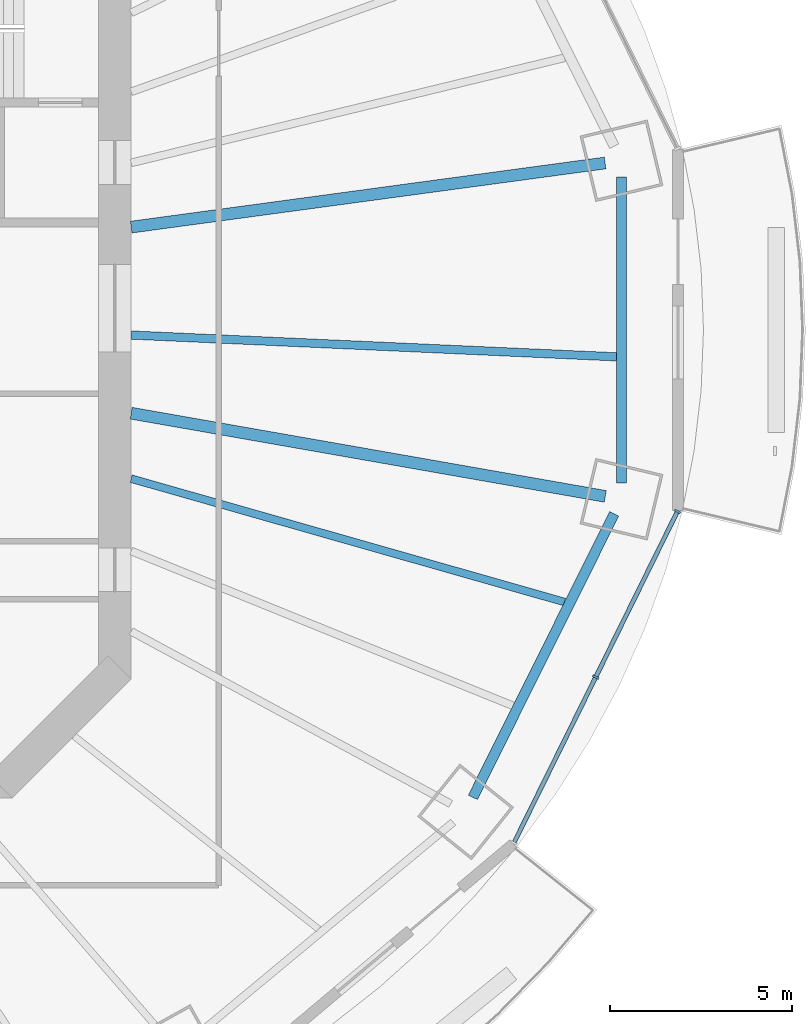
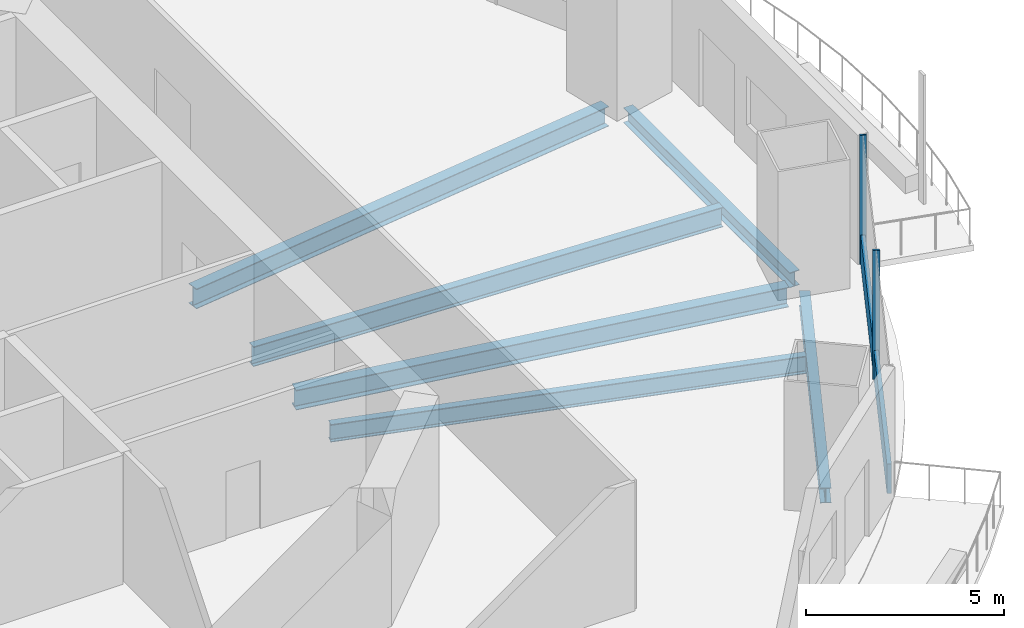
# One storey, part 5 of 19: 6 beams, 3 members, 1 element without a shape of its own.
"""IFC4 building model written with IfcOpenShell, lengths in metres."""

from ifc_helpers import new_model, si_unit, direction, frame, origin, origin_2d, place, context, subcontext, project, spatial, rectangle, i_section, extrude, material, material_profile, profile_set, type_object, element, aggregate, save


model = new_model("IFC4")

# Units and contexts
model_context = context("Model", 3, precision=1e-05, world=origin(), true_north=direction((0.0, 1.0)))
body_context = subcontext(model_context, "Body", "Model", "MODEL_VIEW")
ifc_project = project(units=[si_unit("LENGTHUNIT", "METRE"), si_unit("AREAUNIT", "SQUARE_METRE"), si_unit("VOLUMEUNIT", "CUBIC_METRE"), si_unit("PLANEANGLEUNIT", "RADIAN"), si_unit("MASSUNIT", "GRAM", prefix="KILO")], contexts=[model_context])

# Site, building, storey
site_placement = place(None, origin())
site = spatial("IfcSite", under=ifc_project, at=site_placement, CompositionType="ELEMENT")
building_placement = place(site_placement, origin())
building = spatial("IfcBuilding", under=site, at=building_placement, Name="Marenthal Gate Tower", CompositionType="ELEMENT")
storey_placement = place(building_placement, frame((0.0, 0.0, 239.89990234375)))
storey = spatial("IfcBuildingStorey", under=building, at=storey_placement, Name="L53", CompositionType="ELEMENT", Elevation=239.89990234375)

# Curtain wall, members
ifc_material_1 = material(Name="Aluminium and glass", Category="aluminium")
curtain_wall_type = type_object("IfcCurtainWallType", Name="Curtain wall typical mid", PredefinedType="NOTDEFINED", material=ifc_material_1)
curtain_wall_placement = place(storey_placement, origin())
curtain_wall = element("IfcCurtainWall", 1, at=curtain_wall_placement, inside=storey, type_object=curtain_wall_type, Name="Curtain wall L53 bay 15", PredefinedType="NOTDEFINED")
ifc_material_2 = material(Name="Aluminium", Category="aluminium")
ifc_material_profile_1 = material_profile(ifc_material_2, rectangle(XDim=0.179931640625, YDim=0.06005859375, at=origin_2d()), Name="60x180 aluminium mullion")
ifc_profile_set_1 = profile_set([ifc_material_profile_1], Name="Aluminium")
member_type_1 = type_object("IfcMemberType", Name="Mullion 60x180 typical mid", PredefinedType="MULLION", material=ifc_profile_set_1)
member_1_placement = place(storey_placement, frame((29.205810546875, -10.133056640625, 0.0), z_axis=(0.0, 0.0, 1.0), x_axis=(-0.896835471663, 0.442364258013, 0.0)))
member_1 = element("IfcMember", 2, at=member_1_placement, type_object=member_type_1, Name="Mullion L53 bay 15.2", PredefinedType="MULLION", context=body_context, shape_type="SweptSolid", body=[
    extrude(rectangle(XDim=0.179931640625, YDim=0.06005859375, at=origin_2d()), origin(), (0.0, 0.0, 1.0), 3.97021484375),
])
member_2_placement = place(storey_placement, frame((31.45068359375, -5.58203125, 0.0), z_axis=(0.0, 0.0, 1.0), x_axis=(-0.896835471663, 0.442364258013, 0.0)))
member_2 = element("IfcMember", 3, at=member_2_placement, type_object=member_type_1, Name="Mullion L53 bay 15.3", PredefinedType="MULLION", context=body_context, shape_type="SweptSolid", body=[
    extrude(rectangle(XDim=0.179931640625, YDim=0.06005859375, at=origin_2d()), origin(), (0.0, 0.0, 1.0), 3.97021484375),
])
ifc_material_3 = material(Name="Aluminium", Category="aluminium")
ifc_material_profile_2 = material_profile(ifc_material_3, rectangle(XDim=0.1201171875, YDim=0.89990234375, at=origin_2d()), Name="120x900 aluminium transom")
ifc_profile_set_2 = profile_set([ifc_material_profile_2], Name="Aluminium")
member_type_2 = type_object("IfcMemberType", Name="Transom 120x900 typical mid", PredefinedType="USERDEFINED", material=ifc_profile_set_2)
member_3_placement = place(storey_placement, frame((26.974365234375, -14.656982421875, 0.4501953125), z_axis=(0.442357544454, 0.896838783096, 0.0), x_axis=(-0.896838783096, 0.442357544454, 0.0)))
member_3 = element("IfcMember", 4, at=member_3_placement, type_object=member_type_2, Name="Transom L53 bay 15", ObjectType="TRANSOM", PredefinedType="USERDEFINED", context=body_context, shape_type="SweptSolid", body=[
    extrude(rectangle(XDim=0.1201171875, YDim=0.89990234375, at=origin_2d()), origin(), (0.0, 0.0, 1.0), 10.0888671875),
])
aggregate(curtain_wall, [member_1, member_2, member_3])

# Beams
ifc_material_4 = material(Name="Steel S355", Category="steel")
ifc_material_profile_3 = material_profile(ifc_material_4, i_section(OverallWidth=0.279052734375, OverallDepth=0.4619140625, WebThickness=0.0107421875, FlangeThickness=0.017333984375, FilletRadius=0.010009765625, at=origin_2d()), Name="W460X113")
ifc_profile_set_3 = profile_set([ifc_material_profile_3], Name="Steel S355")
beam_type_1 = type_object("IfcBeamType", Name="W460X113 beam", PredefinedType="BEAM", material=ifc_profile_set_3)
beam_1_placement = place(storey_placement, frame((25.83349609375, -13.433349609375, -0.410888671875), z_axis=(0.446112921938, 0.894976681752, 0.0), x_axis=(-0.894976681752, 0.446112921938, 0.0)))
element("IfcBeam", 5, at=beam_1_placement, inside=storey, type_object=beam_type_1, Name="BM-L53-55", PredefinedType="BEAM", context=body_context, shape_type="SweptSolid", body=[
    extrude(i_section(OverallWidth=0.279052734375, OverallDepth=0.4619140625, WebThickness=0.0107421875, FlangeThickness=0.017333984375, FilletRadius=0.010009765625, at=origin_2d()), origin(), (0.0, 0.0, 1.0), 8.69775390625),
])
beam_2_placement = place(storey_placement, frame((29.914306640625, -4.7958984375, -0.410888671875), z_axis=(0.0, 1.0, 0.0), x_axis=(-1.0, 0.0, 0.0)))
element("IfcBeam", 6, at=beam_2_placement, inside=storey, type_object=beam_type_1, Name="BM-L53-56", PredefinedType="BEAM", context=body_context, shape_type="SweptSolid", body=[
    extrude(i_section(OverallWidth=0.279052734375, OverallDepth=0.4619140625, WebThickness=0.0107421875, FlangeThickness=0.017333984375, FilletRadius=0.010009765625, at=origin_2d()), origin(), (0.0, 0.0, 1.0), 8.3916015625),
])
ifc_material_5 = material(Name="Steel S355", Category="steel")
ifc_material_profile_4 = material_profile(ifc_material_5, i_section(OverallWidth=0.2119140625, OverallDepth=0.5439453125, WebThickness=0.01318359375, FlangeThickness=0.021240234375, FilletRadius=0.0126953125, at=origin_2d()), Name="W530X123")
ifc_profile_set_4 = profile_set([ifc_material_profile_4], Name="Steel S355")
beam_type_2 = type_object("IfcBeamType", Name="W530X123 beam", PredefinedType="BEAM", material=ifc_profile_set_4)
beam_3_placement = place(storey_placement, frame((28.35107421875, -8.070068359375, -0.451904296875), z_axis=(-0.96179820345, 0.27375941233, 0.0), x_axis=(-0.27375941233, -0.96179820345, 0.0)))
element("IfcBeam", 7, at=beam_3_placement, inside=storey, type_object=beam_type_2, Name="BM-L53-39", PredefinedType="BEAM", context=body_context, shape_type="SweptSolid", body=[
    extrude(i_section(OverallWidth=0.2119140625, OverallDepth=0.5439453125, WebThickness=0.01318359375, FlangeThickness=0.021240234375, FilletRadius=0.0126953125, at=origin_2d()), origin(), (0.0, 0.0, 1.0), 12.373779296875),
])
ifc_material_6 = material(Name="Steel S355", Category="steel")
ifc_material_profile_5 = material_profile(ifc_material_6, i_section(OverallWidth=0.22900390625, OverallDepth=0.612060546875, WebThickness=0.011962890625, FlangeThickness=0.01953125, FilletRadius=0.0126953125, at=origin_2d()), Name="W610X125")
ifc_profile_set_5 = profile_set([ifc_material_profile_5], Name="Steel S355")
beam_type_3 = type_object("IfcBeamType", Name="W610X125 beam", PredefinedType="BEAM", material=ifc_profile_set_5)
beam_4_placement = place(storey_placement, frame((29.774658203125, -1.337158203125, -0.48583984375), z_axis=(-0.998993149239, 0.044862988911, 0.0), x_axis=(-0.044862988911, -0.998993149239, 0.0)))
element("IfcBeam", 8, at=beam_4_placement, inside=storey, type_object=beam_type_3, Name="BM-L53-40", PredefinedType="BEAM", context=body_context, shape_type="SweptSolid", body=[
    extrude(i_section(OverallWidth=0.22900390625, OverallDepth=0.612060546875, WebThickness=0.011962890625, FlangeThickness=0.01953125, FilletRadius=0.0126953125, at=origin_2d()), origin(), (0.0, 0.0, 1.0), 13.338134765625),
])
ifc_material_7 = material(Name="Steel S355", Category="steel")
ifc_material_profile_6 = material_profile(ifc_material_7, i_section(OverallWidth=0.324951171875, OverallDepth=0.612060546875, WebThickness=0.0126953125, FlangeThickness=0.01904296875, FilletRadius=0.0126953125, at=origin_2d()), Name="W610X155")
ifc_profile_set_6 = profile_set([ifc_material_profile_6], Name="Steel S355")
beam_type_4 = type_object("IfcBeamType", Name="W610X155 beam", PredefinedType="BEAM", material=ifc_profile_set_6)
beam_5_placement = place(storey_placement, frame((29.46337890625, 3.98583984375, -0.48583984375), z_axis=(-0.990972948398, -0.134061983958, 0.0), x_axis=(0.134061983958, -0.990972948398, 0.0)))
element("IfcBeam", 9, at=beam_5_placement, inside=storey, type_object=beam_type_4, Name="BM-L53-01", PredefinedType="BEAM", context=body_context, shape_type="SweptSolid", body=[
    extrude(i_section(OverallWidth=0.324951171875, OverallDepth=0.612060546875, WebThickness=0.0126953125, FlangeThickness=0.01904296875, FilletRadius=0.0126953125, at=origin_2d()), origin(), (0.0, 0.0, 1.0), 13.132080078125),
])
beam_6_placement = place(storey_placement, frame((29.46923828125, -5.1689453125, -0.48583984375), z_axis=(-0.984962098158, 0.172770556494, 0.0), x_axis=(-0.172770556494, -0.984962098158, 0.0)))
element("IfcBeam", 10, at=beam_6_placement, inside=storey, type_object=beam_type_4, Name="BM-L53-16", PredefinedType="BEAM", context=body_context, shape_type="SweptSolid", body=[
    extrude(i_section(OverallWidth=0.324951171875, OverallDepth=0.612060546875, WebThickness=0.0126953125, FlangeThickness=0.01904296875, FilletRadius=0.0126953125, at=origin_2d()), origin(), (0.0, 0.0, 1.0), 13.218017578125),
])

save(model, "model.ifc")
